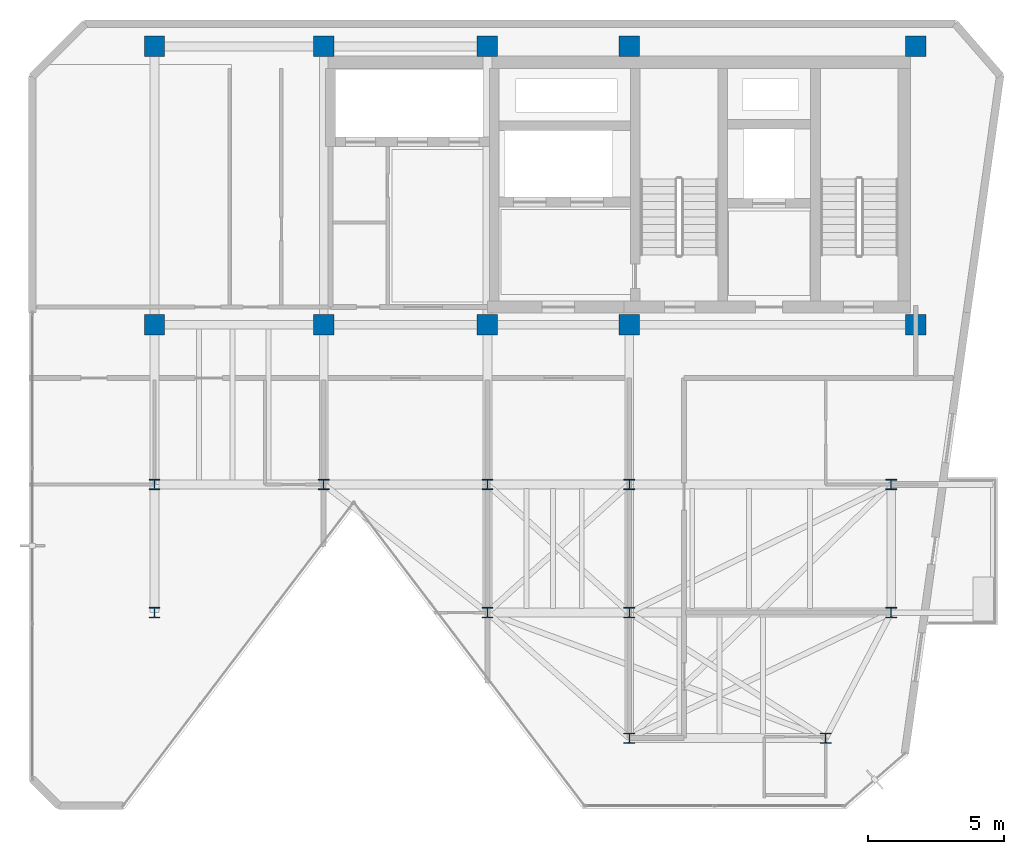
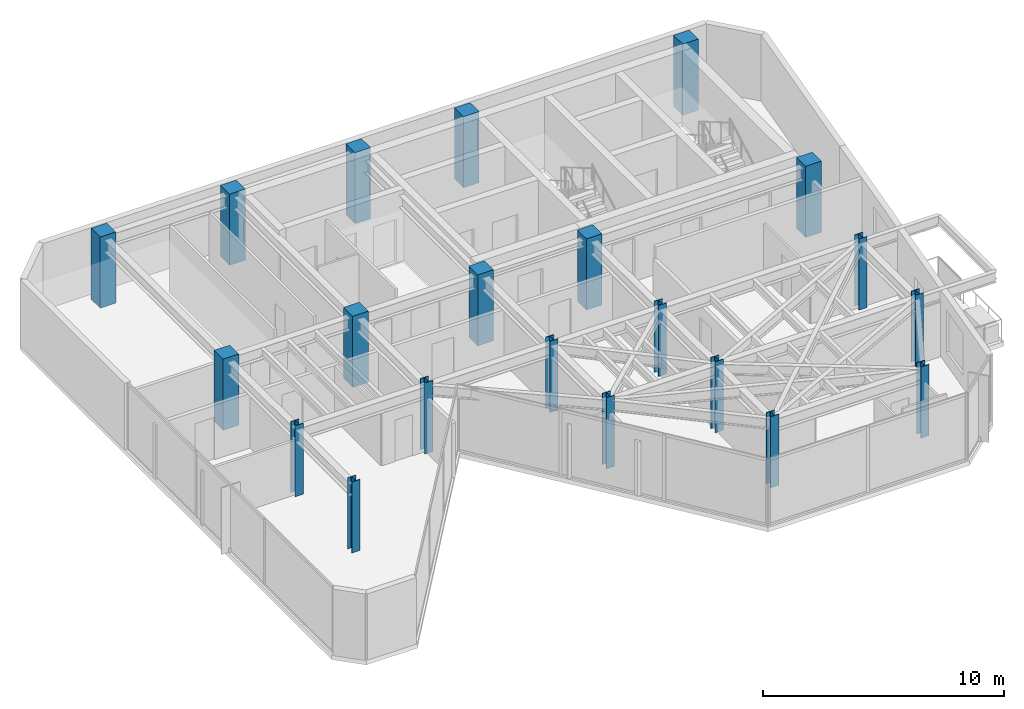
# One storey, part 1 of 16: 21 columns.
"""IFC4 building model written with IfcOpenShell, lengths in metres."""

from ifc_helpers import new_model, si_unit, direction, frame, origin, origin_2d, place, context, subcontext, project, spatial, rectangle, i_section, extrude, material, material_profile, profile_set, type_object, element, save


model = new_model("IFC4")

# Units and contexts
model_context = context("Model", 3, precision=1e-05, world=origin(), true_north=direction((0.0, 1.0)))
body_context = subcontext(model_context, "Body", "Model", "MODEL_VIEW")
ifc_project = project(units=[si_unit("LENGTHUNIT", "METRE"), si_unit("AREAUNIT", "SQUARE_METRE"), si_unit("VOLUMEUNIT", "CUBIC_METRE"), si_unit("PLANEANGLEUNIT", "RADIAN"), si_unit("MASSUNIT", "GRAM", prefix="KILO")], contexts=[model_context])

# Site, building, storey
site_placement = place(None, origin())
site = spatial("IfcSite", under=ifc_project, at=site_placement, CompositionType="ELEMENT")
building_placement = place(site_placement, origin())
building = spatial("IfcBuilding", under=site, at=building_placement, Name="Kravanh Interchange Tower", CompositionType="ELEMENT")
storey_placement = place(building_placement, frame((0.0, 0.0, 303.89990234375)))
storey = spatial("IfcBuildingStorey", under=building, at=storey_placement, Name="L75", CompositionType="ELEMENT", Elevation=303.89990234375)

# Columns
ifc_material_1 = material(Name="Concrete C60/75", Category="concrete")
ifc_material_profile_1 = material_profile(ifc_material_1, rectangle(XDim=0.75, YDim=0.75, at=origin_2d()), Name="RC750X750")
ifc_profile_set_1 = profile_set([ifc_material_profile_1], Name="Concrete C60/75")
column_type_1 = type_object("IfcColumnType", Name="Column RC750X750 Concrete C60/75", PredefinedType="COLUMN", material=ifc_profile_set_1)
for number, where, z_axis, x_axis, name in (
    (1, (66.5, 47.550048828125, 0.0), (0.0, 0.0, 1.0), (1.0, 0.0, 0.0), "L75 Column CS01"),
    (2, (56.0, 47.550048828125, 0.0), (0.0, 0.0, 1.0), (1.0, 0.0, 0.0), "L75 Column CS02"),
    (3, (66.5, 37.35009765625, 0.0), (0.0, 0.0, 1.0), (1.0, 0.0, 0.0), "L75 Column CS03"),
    (4, (56.0, 37.35009765625, 0.0), (0.0, 0.0, 1.0), (1.0, 0.0, 0.0), "L75 Column CS04"),
    (5, (50.800048828125, 47.550048828125, 0.0), (0.0, 0.0, 1.0), (1.0, 0.0, 0.0), "L75 Column CS05"),
    (6, (50.800048828125, 37.35009765625, 0.0), (0.0, 0.0, 1.0), (1.0, 0.0, 0.0), "L75 Column CS06"),
    (7, (44.800048828125, 37.35009765625, 0.0), (0.0, 0.0, 1.0), (1.0, 0.0, 0.0), "L75 Column CS07"),
    (8, (44.800048828125, 47.550048828125, 0.0), (0.0, 0.0, 1.0), (1.0, 0.0, 0.0), "L75 Column CS08"),
    (9, (38.60009765625, 37.35009765625, 0.0), (0.0, 0.0, 1.0), (1.0, 0.0, 0.0), "L75 Column CS09"),
    (10, (38.60009765625, 47.550048828125, 0.0), (0.0, 0.0, 1.0), (1.0, 0.0, 0.0), "L75 Column CS10"),
):
    element("IfcColumn", number, at=place(storey_placement, frame(where, z_axis=z_axis, x_axis=x_axis)), inside=storey, type_object=column_type_1, Name=name, PredefinedType="COLUMN", context=body_context, shape_type="SweptSolid", body=[
        extrude(rectangle(XDim=0.75, YDim=0.75, at=origin_2d()), origin(), (0.0, 0.0, 1.0), 3.60009765625),
    ])
ifc_material_2 = material(Name="Structural Steel S355", Category="steel")
ifc_material_profile_2 = material_profile(ifc_material_2, i_section(OverallWidth=0.39404296875, OverallDepth=0.3759765625, WebThickness=0.017333984375, FlangeThickness=0.027587890625, FilletRadius=0.030029296875, at=origin_2d()), Name="W14X145")
ifc_profile_set_2 = profile_set([ifc_material_profile_2], Name="Structural Steel S355")
column_type_2 = type_object("IfcColumnType", Name="Column W14X145 Structural Steel S355", PredefinedType="COLUMN", material=ifc_profile_set_2)
for number, where, z_axis, x_axis, name in (
    (11, (44.800048828125, 31.5, 0.0), (0.0, 0.0, 1.0), (1.0, 0.0, 0.0), "L75 Column CH_E1"),
    (12, (50.800048828125, 31.5, 0.0), (0.0, 0.0, 1.0), (1.0, 0.0, 0.0), "L75 Column CH_E2"),
    (13, (56.0, 31.5, 0.0), (0.0, 0.0, 1.0), (1.0, 0.0, 0.0), "L75 Column CH_E3"),
    (14, (65.60009765625, 31.5, 0.0), (0.0, 0.0, 1.0), (1.0, 0.0, 0.0), "L75 Column CH_E4"),
    (15, (38.60009765625, 31.5, 0.0), (0.0, 0.0, 1.0), (1.0, 0.0, 0.0), "L75 Column CH_E5"),
    (16, (38.60009765625, 26.800048828125, 0.0), (0.0, 0.0, 1.0), (1.0, 0.0, 0.0), "L75 Column CH_S1"),
    (17, (50.800048828125, 26.800048828125, 0.0), (0.0, 0.0, 1.0), (1.0, 0.0, 0.0), "L75 Column CH_S2"),
    (18, (56.0, 26.800048828125, 0.0), (0.0, 0.0, 1.0), (1.0, 0.0, 0.0), "L75 Column CH_S3"),
    (19, (65.60009765625, 26.800048828125, 0.0), (0.0, 0.0, 1.0), (1.0, 0.0, 0.0), "L75 Column CH_S4"),
    (20, (56.0, 22.199951171875, 0.0), (0.0, 0.0, 1.0), (1.0, 0.0, 0.0), "L75 Column CH_S5"),
    (21, (63.199951171875, 22.199951171875, 0.0), (0.0, 0.0, 1.0), (1.0, 0.0, 0.0), "L75 Column CH_S6"),
):
    element("IfcColumn", number, at=place(storey_placement, frame(where, z_axis=z_axis, x_axis=x_axis)), inside=storey, type_object=column_type_2, Name=name, PredefinedType="COLUMN", context=body_context, shape_type="SweptSolid", body=[
        extrude(i_section(OverallWidth=0.39404296875, OverallDepth=0.3759765625, WebThickness=0.017333984375, FlangeThickness=0.027587890625, FilletRadius=0.030029296875, at=origin_2d()), origin(), (0.0, 0.0, 1.0), 3.60009765625),
    ])

save(model, "model.ifc")
